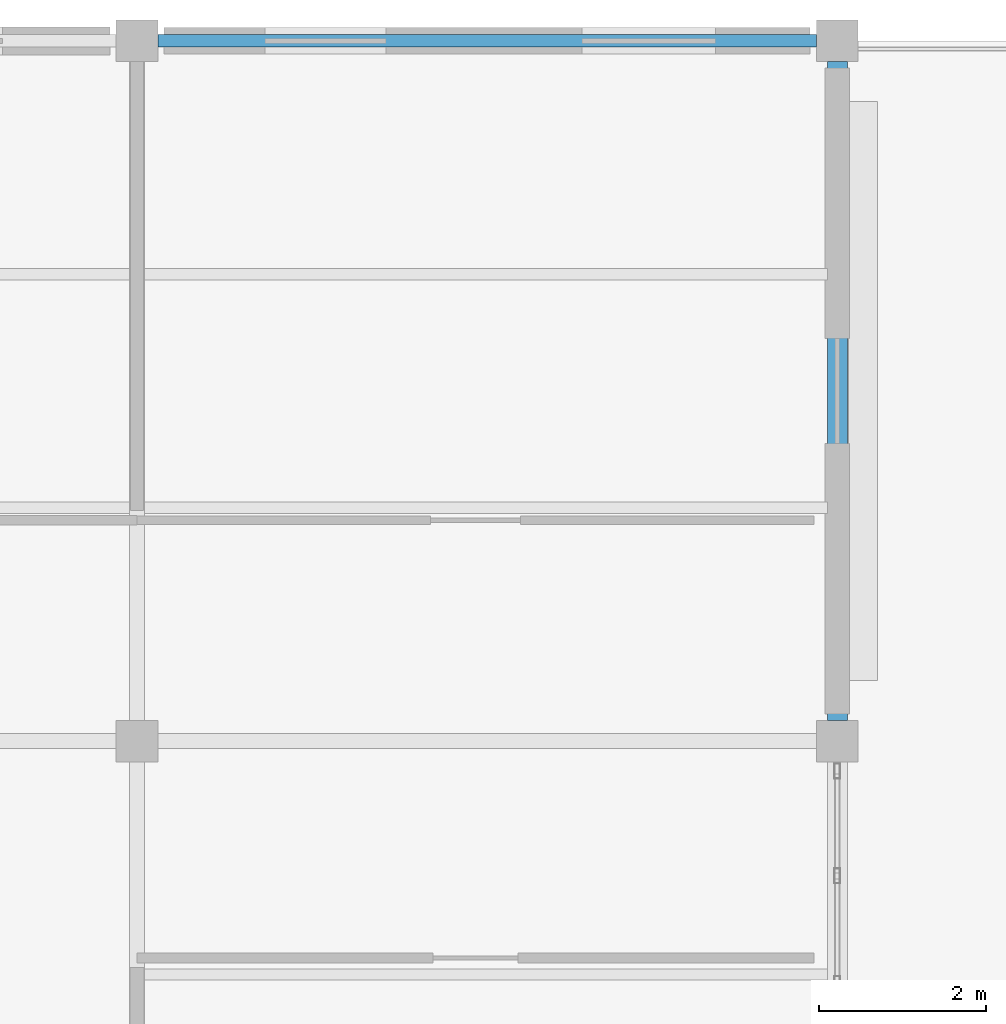
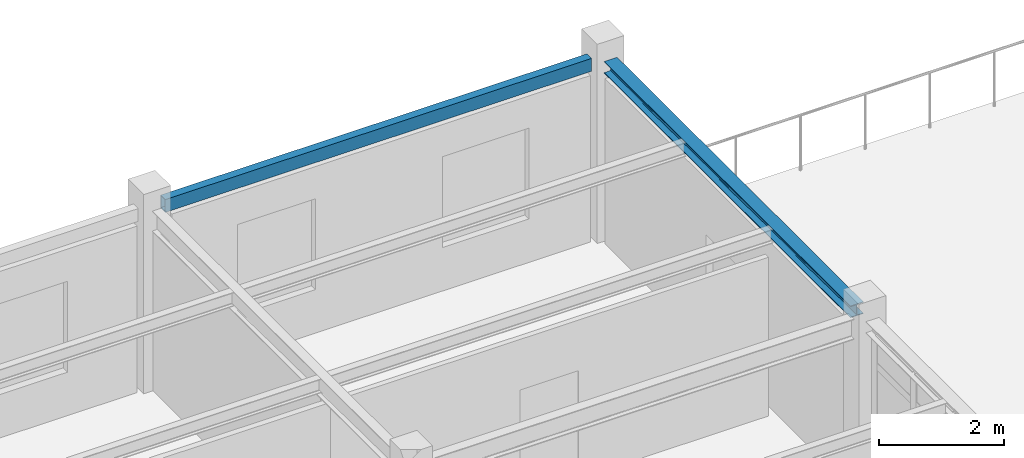
# One storey, part 26 of 53: 2 beams.
"""IFC4 building model written with IfcOpenShell, lengths in metres."""

from ifc_helpers import new_model, si_unit, direction, frame, origin, origin_2d, place, context, subcontext, project, spatial, hollow_rectangle, i_section, extrude, material, material_profile, profile_set, type_object, element, save


model = new_model("IFC4")

# Units and contexts
model_context = context("Model", 3, precision=1e-05, world=origin(), true_north=direction((0.0, 1.0)))
body_context = subcontext(model_context, "Body", "Model", "MODEL_VIEW")
ifc_project = project(units=[si_unit("LENGTHUNIT", "METRE"), si_unit("AREAUNIT", "SQUARE_METRE"), si_unit("VOLUMEUNIT", "CUBIC_METRE"), si_unit("PLANEANGLEUNIT", "RADIAN"), si_unit("MASSUNIT", "GRAM", prefix="KILO")], contexts=[model_context])

# Site, building, storey
site_placement = place(None, origin())
site = spatial("IfcSite", under=ifc_project, at=site_placement, CompositionType="ELEMENT")
building_placement = place(site_placement, origin())
building = spatial("IfcBuilding", under=site, at=building_placement, Name="Bramfleet General Hospital", CompositionType="ELEMENT")
storey_placement = place(building_placement, frame((0.0, 0.0, 26.39990234375)))
storey = spatial("IfcBuildingStorey", under=building, at=storey_placement, Name="L06", CompositionType="ELEMENT", Elevation=26.39990234375)

# Beams
ifc_material = material(Name="Steel S355", Category="steel")
ifc_material_profile_1 = material_profile(ifc_material, i_section(OverallWidth=0.239990234375, OverallDepth=0.22998046875, WebThickness=0.007568359375, FlangeThickness=0.011962890625, FilletRadius=0.02099609375, at=origin_2d()), Name="HEA 240")
ifc_profile_set_1 = profile_set([ifc_material_profile_1], Name="Steel S355")
beam_type_1 = type_object("IfcBeamType", Name="BM-HEA240", PredefinedType="SPANDREL", material=ifc_profile_set_1)
beam_1_placement = place(storey_placement, frame((151.199951171875, 109.449951171875, 3.405029296875), z_axis=(0.0, 1.0, 0.0), x_axis=(-1.0, 0.0, 0.0)))
element("IfcBeam", 1, at=beam_1_placement, inside=storey, type_object=beam_type_1, Name="L06 Grid Beam Y 18-13", PredefinedType="SPANDREL", context=body_context, shape_type="SweptSolid", body=[
    extrude(i_section(OverallWidth=0.239990234375, OverallDepth=0.22998046875, WebThickness=0.007568359375, FlangeThickness=0.011962890625, FilletRadius=0.02099609375, at=origin_2d()), origin(), (0.0, 0.0, 1.0), 7.900146484375),
])
ifc_material_profile_2 = material_profile(ifc_material, hollow_rectangle(XDim=0.14990234375, YDim=0.25, WallThickness=0.010009765625, at=origin_2d()), Name="RHS 250x150x10.0")
ifc_profile_set_2 = profile_set([ifc_material_profile_2], Name="Steel S355")
beam_type_2 = type_object("IfcBeamType", Name="BM-RHS250", PredefinedType="SPANDREL", material=ifc_profile_set_2)
beam_2_placement = place(storey_placement, frame((143.050048828125, 117.60009765625, 3.39501953125), z_axis=(1.0, 0.0, 0.0), x_axis=(0.0, 1.0, 0.0)))
element("IfcBeam", 2, at=beam_2_placement, inside=storey, type_object=beam_type_2, Name="L06 Grid Beam X 17-14", PredefinedType="SPANDREL", context=body_context, shape_type="SweptSolid", body=[
    extrude(hollow_rectangle(XDim=0.14990234375, YDim=0.25, WallThickness=0.010009765625, at=origin_2d()), origin(), (0.0, 0.0, 1.0), 7.89990234375),
])

save(model, "model.ifc")
